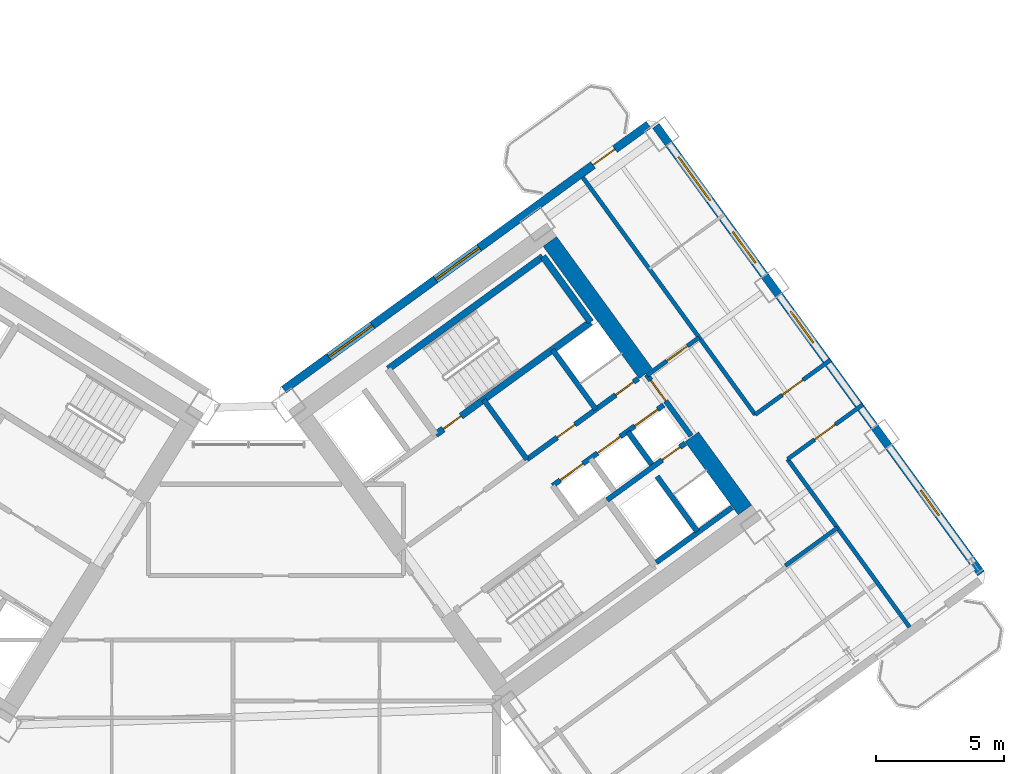
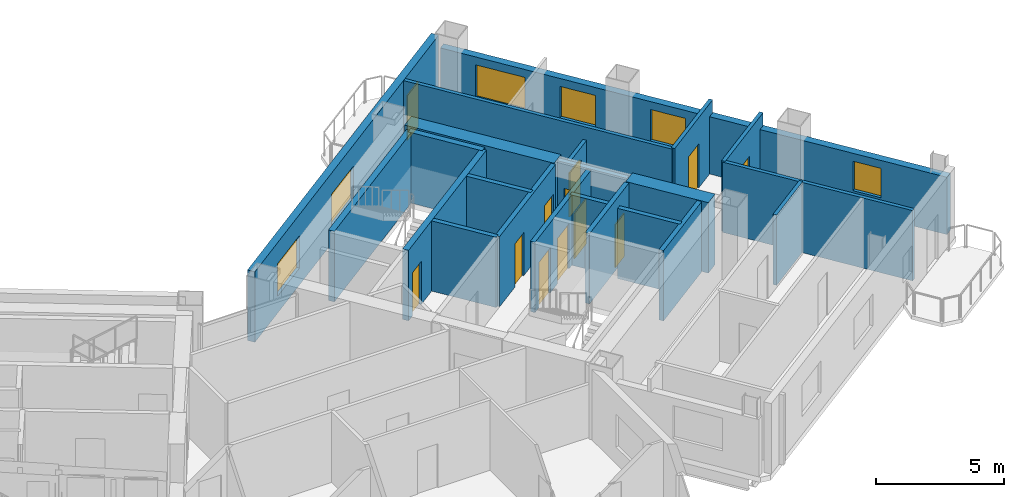
# One storey, part 19 of 24: 22 walls, 12 doors, 6 windows, 18 openings.
"""IFC4 building model written with IfcOpenShell, lengths in metres."""

from ifc_helpers import new_model, si_unit, direction, frame, frame_2d, origin, place, context, subcontext, project, spatial, rectangle, extrude, source, transform, mapped, material, layer, layer_set, type_object, element, fill, save


model = new_model("IFC4")

# Units and contexts
model_context = context("Model", 3, precision=1e-05, world=origin(), true_north=direction((0.0, 1.0)))
body_context = subcontext(model_context, "Body", "Model", "MODEL_VIEW")
ifc_project = project(units=[si_unit("LENGTHUNIT", "METRE"), si_unit("AREAUNIT", "SQUARE_METRE"), si_unit("VOLUMEUNIT", "CUBIC_METRE"), si_unit("PLANEANGLEUNIT", "RADIAN"), si_unit("MASSUNIT", "GRAM", prefix="KILO")], contexts=[model_context])

# Site, building, storey
site_placement = place(None, origin())
site = spatial("IfcSite", under=ifc_project, at=site_placement, CompositionType="ELEMENT")
building_placement = place(site_placement, origin())
building = spatial("IfcBuilding", under=site, at=building_placement, Name="Tlacorven Tower", CompositionType="ELEMENT")
storey_placement = place(building_placement, frame((0.0, 0.0, 45.60009765625)))
storey = spatial("IfcBuildingStorey", under=building, at=storey_placement, Name="L11", CompositionType="ELEMENT", Elevation=45.60009765625)

# Walls
ifc_material_1 = material(Name="Concrete C60/75", Category="concrete")
ifc_layer_1 = layer(ifc_material_1, 0.64990234375)
ifc_layer_set_1 = layer_set([ifc_layer_1], Name="Concrete C60/75")
wall_type_1 = type_object("IfcWallType", Name="WL-COR-650", PredefinedType="SHEAR", material=ifc_layer_set_1)
wall_1_placement = place(storey_placement, frame((61.9287109375, 20.494384765625, 0.0), z_axis=(0.0, 0.0, 1.0), x_axis=(-0.58782982593, 0.808984607855, 0.0)))
element("IfcWall", 1, at=wall_1_placement, inside=storey, type_object=wall_type_1, Name="L11 E core end wall E2.1", PredefinedType="SHEAR", context=body_context, shape_type="SweptSolid", body=[
    extrude(rectangle(XDim=3.52490234375, YDim=0.64990234375, at=frame_2d((1.762451171875, 0.0))), origin(), (0.0, 0.0, 1.0), 3.349853515625),
])
wall_2_placement = place(storey_placement, frame((58.06396484375, 25.8134765625, 0.0), z_axis=(0.0, 0.0, 1.0), x_axis=(-0.58777996584, 0.809020835181, 0.0)))
element("IfcWall", 2, at=wall_2_placement, inside=storey, type_object=wall_type_1, Name="L11 E core end wall E2.2", PredefinedType="SHEAR", context=body_context, shape_type="SweptSolid", body=[
    extrude(rectangle(XDim=6.375, YDim=0.64990234375, at=frame_2d((3.1875, 0.0))), origin(), (0.0, 0.0, 1.0), 3.349853515625),
])
ifc_material_2 = material(Name="Gypsum plasterboard acoustic partition", Category="gypsum")
ifc_layer_2 = layer(ifc_material_2, 0.159912109375)
ifc_layer_set_2 = layer_set([ifc_layer_2], Name="Gypsum plasterboard acoustic partition")
wall_type_2 = type_object("IfcWallType", Name="WL-DEM-160", PredefinedType="PARTITIONING", material=ifc_layer_set_2)
wall_3_placement = place(storey_placement, frame((63.5068359375, 18.322021484375, 0.0), z_axis=(0.0, 0.0, 1.0), x_axis=(0.809034604122, 0.587761013791, 0.0)))
element("IfcWall", 3, at=wall_3_placement, inside=storey, type_object=wall_type_2, Name="L11 partition 96", PredefinedType="PARTITIONING", context=body_context, shape_type="SweptSolid", body=[
    extrude(rectangle(XDim=2.510009765625, YDim=0.159912109375, at=frame_2d((1.2548828125, 0.0))), origin(), (0.0, 0.0, 1.0), 3.33984375),
])

# Wall, opening, door
wall_4_placement = place(storey_placement, frame((58.111083984375, 25.748779296875, 0.0), z_axis=(0.0, 0.0, 1.0), x_axis=(0.809000999347, 0.58780726693, 0.0)))
wall_4 = element("IfcWall", 4, at=wall_4_placement, inside=storey, type_object=wall_type_2, Name="L11 partition 97", PredefinedType="PARTITIONING", context=body_context, shape_type="SweptSolid", body=[
    extrude(rectangle(XDim=2.510009765625, YDim=0.159912109375, at=frame_2d((1.2548828125, 0.0))), origin(), (0.0, 0.0, 1.0), 2.724853515625),
])
opening_1_placement = place(wall_4_placement, frame((0.949951171875, 0.0, 0.0)))
opening_1 = element("IfcOpeningElement", 5, at=opening_1_placement, cuts=wall_4, Name="Opening D11", PredefinedType="OPENING", context=body_context, shape_type="SweptSolid", body=[
    extrude(rectangle(XDim=1.0, YDim=2.10009765625, at=frame_2d((0.5, 1.050048828125))), frame((0.0, 0.08984375, 0.0), z_axis=(0.0, -1.0, 0.0), x_axis=(1.0, 0.0, 0.0)), (0.0, 0.0, 1.0), 0.179931640625),
])
ifc_material_3 = material(Name="Fire-rated steel door assembly", Category="steel")
door_type_1 = type_object("IfcDoorType", Name="DR-FLT-FD60-1000", OperationType="NOTDEFINED", PredefinedType="DOOR", material=ifc_material_3)
shared_shape_1 = source(origin(), body_context, "Body", "SweptSolid", [
    extrude(rectangle(XDim=1.0, YDim=2.10009765625, at=frame_2d((0.5, 1.050048828125))), frame((0.0, 0.02490234375, 0.0), z_axis=(0.0, -1.0, 0.0), x_axis=(1.0, 0.0, 0.0)), (0.0, 0.0, 1.0), 0.050048828125),
])
door_1_placement = place(opening_1_placement, origin())
door_1 = element("IfcDoor", 6, at=door_1_placement, inside=storey, type_object=door_type_1, Name="L11 door 060", OperationType="SINGLE_SWING_LEFT", OverallHeight=2.10009765625, OverallWidth=1.0, PredefinedType="DOOR", context=body_context, shape_type="MappedRepresentation", body=[
    mapped(shared_shape_1, transform((0.0, 0.0, 0.0), scale=1.0)),
])
fill(opening_1, door_1)

# Walls
wall_5_placement = place(storey_placement, frame((68.35302734375, 15.922119140625, 0.0), z_axis=(0.0, 0.0, 1.0), x_axis=(-0.58776839458, 0.809029241952, 0.0)))
element("IfcWall", 7, at=wall_5_placement, inside=storey, type_object=wall_type_2, Name="L11 partition 98", PredefinedType="PARTITIONING", context=body_context, shape_type="SweptSolid", body=[
    extrude(rectangle(XDim=8.10009765625, YDim=0.159912109375, at=frame_2d((4.050048828125, 0.0))), origin(), (0.0, 0.0, 1.0), 3.33984375),
])
wall_6_placement = place(storey_placement, frame((62.328125, 24.214599609375, 0.0), z_axis=(0.0, 0.0, 1.0), x_axis=(-0.587778600963, 0.809021826807, 0.0)))
element("IfcWall", 8, at=wall_6_placement, inside=storey, type_object=wall_type_2, Name="L11 partition 99", PredefinedType="PARTITIONING", context=body_context, shape_type="SweptSolid", body=[
    extrude(rectangle(XDim=11.449951171875, YDim=0.159912109375, at=frame_2d((5.72509765625, 0.0))), origin(), (0.0, 0.0, 1.0), 3.33984375),
])

# Wall, opening, door
wall_7_placement = place(storey_placement, frame((63.592041015625, 22.475341796875, 0.0), z_axis=(0.0, 0.0, 1.0), x_axis=(0.809035546126, 0.58775971715, 0.0)))
wall_7 = element("IfcWall", 9, at=wall_7_placement, inside=storey, type_object=wall_type_2, Name="L11 partition 101", PredefinedType="PARTITIONING", context=body_context, shape_type="SweptSolid", body=[
    extrude(rectangle(XDim=3.6298828125, YDim=0.159912109375, at=frame_2d((1.81494140625, 0.0))), origin(), (0.0, 0.0, 1.0), 3.33984375),
])
opening_2_placement = place(wall_7_placement, frame((1.304931640625, 0.0, 0.0)))
opening_2 = element("IfcOpeningElement", 10, at=opening_2_placement, cuts=wall_7, Name="Opening D11", PredefinedType="OPENING", context=body_context, shape_type="SweptSolid", body=[
    extrude(rectangle(XDim=1.0, YDim=2.10009765625, at=frame_2d((0.5, 1.050048828125))), frame((0.0, 0.08984375, 0.0), z_axis=(0.0, -1.0, 0.0), x_axis=(1.0, 0.0, 0.0)), (0.0, 0.0, 1.0), 0.179931640625),
])
door_2_placement = place(opening_2_placement, origin())
door_2 = element("IfcDoor", 11, at=door_2_placement, inside=storey, type_object=door_type_1, Name="L11 door 064", OperationType="SINGLE_SWING_LEFT", OverallHeight=2.10009765625, OverallWidth=1.0, PredefinedType="DOOR", context=body_context, shape_type="MappedRepresentation", body=[
    mapped(shared_shape_1, transform((0.0, 0.0, 0.0), scale=1.0)),
])
fill(opening_2, door_2)

wall_8_placement = place(storey_placement, frame((62.328125, 24.214599609375, 0.0), z_axis=(0.0, 0.0, 1.0), x_axis=(0.809003564202, 0.587803736896, 0.0)))
wall_8 = element("IfcWall", 12, at=wall_8_placement, inside=storey, type_object=wall_type_2, Name="L11 partition 102", PredefinedType="PARTITIONING", context=body_context, shape_type="SweptSolid", body=[
    extrude(rectangle(XDim=3.630126953125, YDim=0.159912109375, at=frame_2d((1.81494140625, 0.0))), origin(), (0.0, 0.0, 1.0), 3.33984375),
])
opening_3_placement = place(wall_8_placement, frame((1.304931640625, 0.0, 0.0)))
opening_3 = element("IfcOpeningElement", 13, at=opening_3_placement, cuts=wall_8, Name="Opening D11", PredefinedType="OPENING", context=body_context, shape_type="SweptSolid", body=[
    extrude(rectangle(XDim=1.0, YDim=2.10009765625, at=frame_2d((0.5, 1.050048828125))), frame((0.0, 0.08984375, 0.0), z_axis=(0.0, -1.0, 0.0), x_axis=(1.0, 0.0, 0.0)), (0.0, 0.0, 1.0), 0.179931640625),
])
door_3_placement = place(opening_3_placement, origin())
door_3 = element("IfcDoor", 14, at=door_3_placement, inside=storey, type_object=door_type_1, Name="L11 door 062", OperationType="SINGLE_SWING_LEFT", OverallHeight=2.10009765625, OverallWidth=1.0, PredefinedType="DOOR", context=body_context, shape_type="MappedRepresentation", body=[
    mapped(shared_shape_1, transform((0.0, 0.0, 0.0), scale=1.0)),
])
fill(opening_3, door_3)

# Wall, openings, door, windows
ifc_material_4 = material(Name="Precast concrete C45/55", Category="concrete")
ifc_layer_3 = layer(ifc_material_4, 0.320068359375)
ifc_layer_set_3 = layer_set([ifc_layer_3], Name="Precast concrete C45/55")
wall_type_3 = type_object("IfcWallType", Name="WL-EXT-320", PredefinedType="STANDARD", material=ifc_layer_set_3)
wall_9_placement = place(storey_placement, frame((43.93798828125, 25.191650390625, 0.0), z_axis=(0.0, 0.0, 1.0), x_axis=(0.809016324578, 0.587786174187, 0.0)))
wall_9 = element("IfcWall", 15, at=wall_9_placement, inside=storey, type_object=wall_type_3, Name="L11 Masonry-Frame Recessed Facade Wall 4", PredefinedType="STANDARD", context=body_context, shape_type="SweptSolid", body=[
    extrude(rectangle(XDim=17.58740234375, YDim=0.320068359375, at=frame_2d((8.793701171875, 0.0))), origin(), (0.0, 0.0, 1.0), 3.349853515625),
])
opening_4_placement = place(wall_9_placement, frame((14.913818359375, 0.0, 0.0)))
opening_4 = element("IfcOpeningElement", 16, at=opening_4_placement, cuts=wall_9, Name="Opening D06", PredefinedType="OPENING", context=body_context, shape_type="SweptSolid", body=[
    extrude(rectangle(XDim=1.050048828125, YDim=2.14990234375, at=frame_2d((0.52490234375, 1.074951171875))), frame((0.0, 0.169921875, 0.0), z_axis=(0.0, -1.0, 0.0), x_axis=(1.0, 0.0, 0.0)), (0.0, 0.0, 1.0), 0.340087890625),
])
opening_5_placement = place(wall_9_placement, frame((2.168701171875, 0.0, 0.800048828125)))
opening_5 = element("IfcOpeningElement", 17, at=opening_5_placement, cuts=wall_9, Name="Opening WN04", PredefinedType="OPENING", context=body_context, shape_type="SweptSolid", body=[
    extrude(rectangle(XDim=2.10009765625, YDim=1.550048828125, at=frame_2d((1.050048828125, 0.77490234375))), frame((0.0, 0.169921875, 0.0), z_axis=(0.0, -1.0, 0.0), x_axis=(1.0, 0.0, 0.0)), (0.0, 0.0, 1.0), 0.340087890625),
])
opening_6_placement = place(wall_9_placement, frame((7.318603515625, 0.0, 0.800048828125)))
opening_6 = element("IfcOpeningElement", 18, at=opening_6_placement, cuts=wall_9, Name="Opening WN04", PredefinedType="OPENING", context=body_context, shape_type="SweptSolid", body=[
    extrude(rectangle(XDim=2.10009765625, YDim=1.550048828125, at=frame_2d((1.050048828125, 0.77490234375))), frame((0.0, 0.169921875, 0.0), z_axis=(0.0, -1.0, 0.0), x_axis=(1.0, 0.0, 0.0)), (0.0, 0.0, 1.0), 0.340087890625),
])
ifc_material_5 = material(Name="Powder-coated aluminium and timber door", Category="wood")
door_type_2 = type_object("IfcDoorType", Name="DR-EXT-BALC-1050", OperationType="NOTDEFINED", PredefinedType="DOOR", material=ifc_material_5)
shared_shape_2 = source(origin(), body_context, "Body", "SweptSolid", [
    extrude(rectangle(XDim=1.050048828125, YDim=2.14990234375, at=frame_2d((0.52490234375, 1.074951171875))), frame((0.0, 0.02490234375, 0.0), z_axis=(0.0, -1.0, 0.0), x_axis=(1.0, 0.0, 0.0)), (0.0, 0.0, 1.0), 0.050048828125),
])
door_4_placement = place(opening_4_placement, origin())
door_4 = element("IfcDoor", 19, at=door_4_placement, inside=storey, type_object=door_type_2, Name="L11 Outdoor Access Door BAL-L11-E-IN", OperationType="SINGLE_SWING_RIGHT", OverallHeight=2.14990234375, OverallWidth=1.050048828125, PredefinedType="DOOR", context=body_context, shape_type="MappedRepresentation", body=[
    mapped(shared_shape_2, transform((0.0, 0.0, 0.0), scale=1.0)),
])
fill(opening_4, door_4)
ifc_material_6 = material(Name="Dark solar low-E double glazing in anodised aluminium frame", Category="aluminium")
window_type_1 = type_object("IfcWindowType", Name="WN-APT-2100X1750", PartitioningType="SINGLE_PANEL", PredefinedType="WINDOW", material=ifc_material_6)
shared_shape_3 = source(origin(), body_context, "Body", "SweptSolid", [
    extrude(rectangle(XDim=2.10009765625, YDim=1.550048828125, at=frame_2d((1.050048828125, 0.77490234375))), frame((0.0, 0.030029296875, 0.0), z_axis=(0.0, -1.0, 0.0), x_axis=(1.0, 0.0, 0.0)), (0.0, 0.0, 1.0), 0.06005859375),
])
window_1_placement = place(opening_5_placement, origin())
window_1 = element("IfcWindow", 20, at=window_1_placement, inside=storey, type_object=window_type_1, Name="L11 Recessed Masonry-Frame Window L11-04.1", OverallHeight=1.550048828125, OverallWidth=2.10009765625, PartitioningType="SINGLE_PANEL", PredefinedType="WINDOW", context=body_context, shape_type="MappedRepresentation", body=[
    mapped(shared_shape_3, transform((0.0, 0.0, 0.0), scale=1.0)),
])
fill(opening_5, window_1)
window_2_placement = place(opening_6_placement, origin())
window_2 = element("IfcWindow", 21, at=window_2_placement, inside=storey, type_object=window_type_1, Name="L11 Recessed Masonry-Frame Window L11-04.2", OverallHeight=1.550048828125, OverallWidth=2.10009765625, PartitioningType="SINGLE_PANEL", PredefinedType="WINDOW", context=body_context, shape_type="MappedRepresentation", body=[
    mapped(shared_shape_3, transform((0.0, 0.0, 0.0), scale=1.0)),
])
fill(opening_6, window_2)

# Wall, openings, windows
wall_10_placement = place(storey_placement, frame((58.45458984375, 35.483642578125, 0.0), z_axis=(0.0, 0.0, 1.0), x_axis=(0.587783625747, -0.809018176127, 0.0)))
wall_10 = element("IfcWall", 22, at=wall_10_placement, inside=storey, type_object=wall_type_3, Name="L11 Masonry-Frame Recessed Facade Wall 5", PredefinedType="STANDARD", context=body_context, shape_type="SweptSolid", body=[
    extrude(rectangle(XDim=21.58740234375, YDim=0.320068359375, at=frame_2d((10.793701171875, 0.0))), origin(), (0.0, 0.0, 1.0), 2.724853515625),
])
opening_7_placement = place(wall_10_placement, frame((1.500244140625, 0.0, 0.800048828125)))
opening_7 = element("IfcOpeningElement", 23, at=opening_7_placement, cuts=wall_10, Name="Opening WN04", PredefinedType="OPENING", context=body_context, shape_type="SweptSolid", body=[
    extrude(rectangle(XDim=2.10009765625, YDim=1.550048828125, at=frame_2d((1.050048828125, 0.77490234375))), frame((0.0, 0.169921875, 0.0), z_axis=(0.0, -1.0, 0.0), x_axis=(1.0, 0.0, 0.0)), (0.0, 0.0, 1.0), 0.340087890625),
])
opening_8_placement = place(wall_10_placement, frame((5.105224609375, 0.0, 0.85009765625)))
opening_8 = element("IfcOpeningElement", 24, at=opening_8_placement, cuts=wall_10, Name="Opening WN02", PredefinedType="OPENING", context=body_context, shape_type="SweptSolid", body=[
    extrude(rectangle(XDim=1.5, YDim=1.5, at=frame_2d((0.75, 0.75))), frame((0.0, 0.169921875, 0.0), z_axis=(0.0, -1.0, 0.0), x_axis=(1.0, 0.0, 0.0)), (0.0, 0.0, 1.0), 0.340087890625),
])
opening_9_placement = place(wall_10_placement, frame((8.95361328125, 0.0, 0.85009765625)))
opening_9 = element("IfcOpeningElement", 25, at=opening_9_placement, cuts=wall_10, Name="Opening WN02", PredefinedType="OPENING", context=body_context, shape_type="SweptSolid", body=[
    extrude(rectangle(XDim=1.5, YDim=1.5, at=frame_2d((0.75, 0.75))), frame((0.0, 0.169921875, 0.0), z_axis=(0.0, -1.0, 0.0), x_axis=(1.0, 0.0, 0.0)), (0.0, 0.0, 1.0), 0.340087890625),
])
opening_10_placement = place(wall_10_placement, frame((17.581298828125, 0.0, 0.949951171875)))
opening_10 = element("IfcOpeningElement", 26, at=opening_10_placement, cuts=wall_10, Name="Opening WN03", PredefinedType="OPENING", context=body_context, shape_type="SweptSolid", body=[
    extrude(rectangle(XDim=1.199951171875, YDim=1.39990234375, at=frame_2d((0.60009765625, 0.699951171875))), frame((0.0, 0.169921875, 0.0), z_axis=(0.0, -1.0, 0.0), x_axis=(1.0, 0.0, 0.0)), (0.0, 0.0, 1.0), 0.340087890625),
])
window_3_placement = place(opening_7_placement, origin())
window_3 = element("IfcWindow", 27, at=window_3_placement, inside=storey, type_object=window_type_1, Name="L11 Recessed Masonry-Frame Window L11-05.1", OverallHeight=1.550048828125, OverallWidth=2.10009765625, PartitioningType="SINGLE_PANEL", PredefinedType="WINDOW", context=body_context, shape_type="MappedRepresentation", body=[
    mapped(shared_shape_3, transform((0.0, 0.0, 0.0), scale=1.0)),
])
fill(opening_7, window_3)
window_type_2 = type_object("IfcWindowType", Name="WN-APT-1200X1500", PartitioningType="SINGLE_PANEL", PredefinedType="WINDOW", material=ifc_material_6)
shared_shape_4 = source(origin(), body_context, "Body", "SweptSolid", [
    extrude(rectangle(XDim=1.199951171875, YDim=1.39990234375, at=frame_2d((0.60009765625, 0.699951171875))), frame((0.0, 0.030029296875, 0.0), z_axis=(0.0, -1.0, 0.0), x_axis=(1.0, 0.0, 0.0)), (0.0, 0.0, 1.0), 0.06005859375),
])
window_4_placement = place(opening_10_placement, origin())
window_4 = element("IfcWindow", 28, at=window_4_placement, inside=storey, type_object=window_type_2, Name="L11 Recessed Masonry-Frame Window L11-05.4", OverallHeight=1.39990234375, OverallWidth=1.199951171875, PartitioningType="SINGLE_PANEL", PredefinedType="WINDOW", context=body_context, shape_type="MappedRepresentation", body=[
    mapped(shared_shape_4, transform((0.0, 0.0, 0.0), scale=1.0)),
])
fill(opening_10, window_4)
window_type_3 = type_object("IfcWindowType", Name="WN-APT-1500X1650", PartitioningType="SINGLE_PANEL", PredefinedType="WINDOW", material=ifc_material_6)
shared_shape_5 = source(origin(), body_context, "Body", "SweptSolid", [
    extrude(rectangle(XDim=1.5, YDim=1.5, at=frame_2d((0.75, 0.75))), frame((0.0, 0.030029296875, 0.0), z_axis=(0.0, -1.0, 0.0), x_axis=(1.0, 0.0, 0.0)), (0.0, 0.0, 1.0), 0.06005859375),
])
window_5_placement = place(opening_8_placement, origin())
window_5 = element("IfcWindow", 29, at=window_5_placement, inside=storey, type_object=window_type_3, Name="L11 Recessed Masonry-Frame Window L11-05.2", OverallHeight=1.5, OverallWidth=1.5, PartitioningType="SINGLE_PANEL", PredefinedType="WINDOW", context=body_context, shape_type="MappedRepresentation", body=[
    mapped(shared_shape_5, transform((0.0, 0.0, 0.0), scale=1.0)),
])
fill(opening_8, window_5)
window_6_placement = place(opening_9_placement, origin())
window_6 = element("IfcWindow", 30, at=window_6_placement, inside=storey, type_object=window_type_3, Name="L11 Recessed Masonry-Frame Window L11-05.3", OverallHeight=1.5, OverallWidth=1.5, PartitioningType="SINGLE_PANEL", PredefinedType="WINDOW", context=body_context, shape_type="MappedRepresentation", body=[
    mapped(shared_shape_5, transform((0.0, 0.0, 0.0), scale=1.0)),
])
fill(opening_9, window_6)

# Wall, opening, door
ifc_material_7 = material(Name="Concrete C40/50", Category="concrete")
ifc_layer_4 = layer(ifc_material_7, 0.199951171875)
ifc_layer_set_4 = layer_set([ifc_layer_4], Name="Concrete C40/50")
wall_type_4 = type_object("IfcWallType", Name="WL-SHF-200", PredefinedType="STANDARD", material=ifc_layer_set_4)
wall_11_placement = place(storey_placement, frame((56.552978515625, 20.884033203125, 0.0), z_axis=(0.0, 0.0, 1.0), x_axis=(0.809035789462, 0.587759382205, 0.0)))
wall_11 = element("IfcWall", 31, at=wall_11_placement, inside=storey, type_object=wall_type_4, Name="L11 Core E South Lift Shaft Wall", PredefinedType="STANDARD", context=body_context, shape_type="SweptSolid", body=[
    extrude(rectangle(XDim=3.767822265625, YDim=0.199951171875, at=frame_2d((1.8837890625, 0.0))), origin(), (0.0, 0.0, 1.0), 3.33984375),
])
opening_11_placement = place(wall_11_placement, frame((2.64990234375, 0.0, 0.0)))
opening_11 = element("IfcOpeningElement", 32, at=opening_11_placement, cuts=wall_11, Name="Opening D19", PredefinedType="OPENING", context=body_context, shape_type="SweptSolid", body=[
    extrude(rectangle(XDim=0.860107421875, YDim=2.050048828125, at=frame_2d((0.43017578125, 1.02490234375))), frame((0.0, 0.10986328125, 0.0), z_axis=(0.0, -1.0, 0.0), x_axis=(1.0, 0.0, 0.0)), (0.0, 0.0, 1.0), 0.219970703125),
])
door_type_3 = type_object("IfcDoorType", Name="DR-RSR-FD60-0860", OperationType="NOTDEFINED", PredefinedType="DOOR", material=ifc_material_3)
shared_shape_6 = source(origin(), body_context, "Body", "SweptSolid", [
    extrude(rectangle(XDim=0.860107421875, YDim=2.050048828125, at=frame_2d((0.43017578125, 1.02490234375))), frame((0.0, 0.02490234375, 0.0), z_axis=(0.0, -1.0, 0.0), x_axis=(1.0, 0.0, 0.0)), (0.0, 0.0, 1.0), 0.050048828125),
])
door_5_placement = place(opening_11_placement, origin())
door_5 = element("IfcDoor", 33, at=door_5_placement, inside=storey, type_object=door_type_3, Name="L11 Smoke Extract Riser Access Door", OperationType="SINGLE_SWING_RIGHT", OverallHeight=2.050048828125, OverallWidth=0.860107421875, PredefinedType="DOOR", context=body_context, shape_type="MappedRepresentation", body=[
    mapped(shared_shape_6, transform((0.0, 0.0, 0.0), scale=1.0)),
])
fill(opening_11, door_5)

# Wall, openings, doors
wall_12_placement = place(storey_placement, frame((54.421142578125, 21.436279296875, 0.0), z_axis=(0.0, 0.0, 1.0), x_axis=(0.809013710463, 0.587789772183, 0.0)))
wall_12 = element("IfcWall", 34, at=wall_12_placement, inside=storey, type_object=wall_type_4, Name="L11 partition 36", PredefinedType="STANDARD", context=body_context, shape_type="SweptSolid", body=[
    extrude(rectangle(XDim=5.360107421875, YDim=0.199951171875, at=frame_2d((2.68017578125, 0.0))), origin(), (0.0, 0.0, 1.0), 3.33984375),
])
opening_12_placement = place(wall_12_placement, frame((0.3701171875, 0.0, 0.0)))
opening_12 = element("IfcOpeningElement", 35, at=opening_12_placement, cuts=wall_12, Name="Opening LD01", PredefinedType="OPENING", context=body_context, shape_type="SweptSolid", body=[
    extrude(rectangle(XDim=1.10009765625, YDim=2.14990234375, at=frame_2d((0.550048828125, 1.074951171875))), frame((0.0, 0.10986328125, 0.0), z_axis=(0.0, -1.0, 0.0), x_axis=(1.0, 0.0, 0.0)), (0.0, 0.0, 1.0), 0.219970703125),
])
opening_13_placement = place(wall_12_placement, frame((2.169921875, 0.0, 0.0)))
opening_13 = element("IfcOpeningElement", 36, at=opening_13_placement, cuts=wall_12, Name="Opening LD01", PredefinedType="OPENING", context=body_context, shape_type="SweptSolid", body=[
    extrude(rectangle(XDim=1.10009765625, YDim=2.14990234375, at=frame_2d((0.550048828125, 1.074951171875))), frame((0.0, 0.10986328125, 0.0), z_axis=(0.0, -1.0, 0.0), x_axis=(1.0, 0.0, 0.0)), (0.0, 0.0, 1.0), 0.219970703125),
])
opening_14_placement = place(wall_12_placement, frame((3.969970703125, 0.0, 0.0)))
opening_14 = element("IfcOpeningElement", 37, at=opening_14_placement, cuts=wall_12, Name="Opening LD01", PredefinedType="OPENING", context=body_context, shape_type="SweptSolid", body=[
    extrude(rectangle(XDim=1.10009765625, YDim=2.14990234375, at=frame_2d((0.550048828125, 1.074951171875))), frame((0.0, 0.10986328125, 0.0), z_axis=(0.0, -1.0, 0.0), x_axis=(1.0, 0.0, 0.0)), (0.0, 0.0, 1.0), 0.219970703125),
])
door_type_4 = type_object("IfcDoorType", Name="DR-LFT-SLID-1100", OperationType="DOUBLE_DOOR_SLIDING", PredefinedType="DOOR", material=ifc_material_3)
shared_shape_7 = source(origin(), body_context, "Body", "SweptSolid", [
    extrude(rectangle(XDim=1.10009765625, YDim=2.14990234375, at=frame_2d((0.550048828125, 1.074951171875))), frame((0.0, 0.02490234375, 0.0), z_axis=(0.0, -1.0, 0.0), x_axis=(1.0, 0.0, 0.0)), (0.0, 0.0, 1.0), 0.050048828125),
])
door_6_placement = place(opening_12_placement, origin())
door_6 = element("IfcDoor", 38, at=door_6_placement, inside=storey, type_object=door_type_4, Name="L11 Lift PL-L1 Sliding Landing Door", OperationType="DOUBLE_DOOR_SLIDING", OverallHeight=2.14990234375, OverallWidth=1.10009765625, PredefinedType="DOOR", context=body_context, shape_type="MappedRepresentation", body=[
    mapped(shared_shape_7, transform((0.0, 0.0, 0.0), scale=1.0)),
])
fill(opening_12, door_6)
door_7_placement = place(opening_13_placement, origin())
door_7 = element("IfcDoor", 39, at=door_7_placement, inside=storey, type_object=door_type_4, Name="L11 Lift PL-L2 Sliding Landing Door", OperationType="DOUBLE_DOOR_SLIDING", OverallHeight=2.14990234375, OverallWidth=1.10009765625, PredefinedType="DOOR", context=body_context, shape_type="MappedRepresentation", body=[
    mapped(shared_shape_7, transform((0.0, 0.0, 0.0), scale=1.0)),
])
fill(opening_13, door_7)
door_8_placement = place(opening_14_placement, origin())
door_8 = element("IfcDoor", 40, at=door_8_placement, inside=storey, type_object=door_type_4, Name="L11 Lift PL-L3 Sliding Landing Door", OperationType="DOUBLE_DOOR_SLIDING", OverallHeight=2.14990234375, OverallWidth=1.10009765625, PredefinedType="DOOR", context=body_context, shape_type="MappedRepresentation", body=[
    mapped(shared_shape_7, transform((0.0, 0.0, 0.0), scale=1.0)),
])
fill(opening_14, door_8)

# Walls
wall_13_placement = place(storey_placement, frame((58.290283203125, 22.269775390625, 0.0), z_axis=(0.0, 0.0, 1.0), x_axis=(-0.587840865826, 0.808976585857, 0.0)))
element("IfcWall", 41, at=wall_13_placement, inside=storey, type_object=wall_type_4, Name="L11 partition 40", PredefinedType="STANDARD", context=body_context, shape_type="SweptSolid", body=[
    extrude(rectangle(XDim=1.579833984375, YDim=0.199951171875, at=frame_2d((0.7900390625, 0.0))), origin(), (0.0, 0.0, 1.0), 3.33984375),
])
wall_14_placement = place(storey_placement, frame((60.066650390625, 19.654541015625, 0.0), z_axis=(0.0, 0.0, 1.0), x_axis=(-0.587800520745, 0.809005900975, 0.0)))
element("IfcWall", 42, at=wall_14_placement, inside=storey, type_object=wall_type_4, Name="L11 partition 41", PredefinedType="STANDARD", context=body_context, shape_type="SweptSolid", body=[
    extrude(rectangle(XDim=2.659912109375, YDim=0.199951171875, at=frame_2d((1.330078125, 0.0))), origin(), (0.0, 0.0, 1.0), 3.33984375),
])
wall_15_placement = place(storey_placement, frame((58.47216796875, 18.446533203125, 0.0), z_axis=(0.0, 0.0, 1.0), x_axis=(0.809022487728, 0.587777691266, 0.0)))
element("IfcWall", 43, at=wall_15_placement, inside=storey, type_object=wall_type_4, Name="L11 partition 43", PredefinedType="STANDARD", context=body_context, shape_type="SweptSolid", body=[
    extrude(rectangle(XDim=3.648193359375, YDim=0.199951171875, at=frame_2d((1.82421875, 0.0))), origin(), (0.0, 0.0, 1.0), 3.33984375),
])
wall_16_placement = place(storey_placement, frame((53.424560546875, 22.467529296875, 0.0), z_axis=(0.0, 0.0, 1.0), x_axis=(-0.5877230039, 0.809062216821, 0.0)))
element("IfcWall", 44, at=wall_16_placement, inside=storey, type_object=wall_type_4, Name="L11 partition 45", PredefinedType="STANDARD", context=body_context, shape_type="SweptSolid", body=[
    extrude(rectangle(XDim=2.8798828125, YDim=0.199951171875, at=frame_2d((1.43994140625, 0.0))), origin(), (0.0, 0.0, 1.0), 3.33984375),
])
wall_17_placement = place(storey_placement, frame((56.110595703125, 24.4189453125, 0.0), z_axis=(0.0, 0.0, 1.0), x_axis=(-0.58777848983, 0.809021907548, 0.0)))
element("IfcWall", 45, at=wall_17_placement, inside=storey, type_object=wall_type_4, Name="L11 partition 46", PredefinedType="STANDARD", context=body_context, shape_type="SweptSolid", body=[
    extrude(rectangle(XDim=2.880126953125, YDim=0.199951171875, at=frame_2d((1.43994140625, 0.0))), origin(), (0.0, 0.0, 1.0), 3.33984375),
])

# Wall, openings, doors
wall_18_placement = place(storey_placement, frame((53.424560546875, 22.467529296875, 0.0), z_axis=(0.0, 0.0, 1.0), x_axis=(0.80902705128, 0.587771409902, 0.0)))
wall_18 = element("IfcWall", 46, at=wall_18_placement, inside=storey, type_object=wall_type_4, Name="L11 Core E North Service Wall", PredefinedType="STANDARD", context=body_context, shape_type="SweptSolid", body=[
    extrude(rectangle(XDim=5.3681640625, YDim=0.199951171875, at=frame_2d((2.68408203125, 0.0))), origin(), (0.0, 0.0, 1.0), 3.33984375),
])
opening_15_placement = place(wall_18_placement, frame((4.280029296875, 0.0, 0.0)))
opening_15 = element("IfcOpeningElement", 47, at=opening_15_placement, cuts=wall_18, Name="Opening D19", PredefinedType="OPENING", context=body_context, shape_type="SweptSolid", body=[
    extrude(rectangle(XDim=0.860107421875, YDim=2.050048828125, at=frame_2d((0.43017578125, 1.02490234375))), frame((0.0, 0.10986328125, 0.0), z_axis=(0.0, -1.0, 0.0), x_axis=(1.0, 0.0, 0.0)), (0.0, 0.0, 1.0), 0.219970703125),
])
opening_16_placement = place(wall_18_placement, frame((1.449951171875, 0.0, 0.0)))
opening_16 = element("IfcOpeningElement", 48, at=opening_16_placement, cuts=wall_18, Name="Opening D19", PredefinedType="OPENING", context=body_context, shape_type="SweptSolid", body=[
    extrude(rectangle(XDim=0.860107421875, YDim=2.050048828125, at=frame_2d((0.43017578125, 1.02490234375))), frame((0.0, 0.10986328125, 0.0), z_axis=(0.0, -1.0, 0.0), x_axis=(1.0, 0.0, 0.0)), (0.0, 0.0, 1.0), 0.219970703125),
])
door_9_placement = place(opening_15_placement, frame((0.860107421875, 0.0, 0.0), z_axis=(0.0, 0.0, 1.0), x_axis=(-1.0, 0.0, 0.0)))
door_9 = element("IfcDoor", 49, at=door_9_placement, inside=storey, type_object=door_type_3, Name="L11 Electrical Riser Access Door E", OperationType="SINGLE_SWING_LEFT", OverallHeight=2.050048828125, OverallWidth=0.860107421875, PredefinedType="DOOR", context=body_context, shape_type="MappedRepresentation", body=[
    mapped(shared_shape_6, transform((0.0, 0.0, 0.0), scale=1.0)),
])
fill(opening_15, door_9)
door_10_placement = place(opening_16_placement, frame((0.860107421875, 0.0, 0.0), z_axis=(0.0, 0.0, 1.0), x_axis=(-1.0, 0.0, 0.0)))
door_10 = element("IfcDoor", 50, at=door_10_placement, inside=storey, type_object=door_type_3, Name="L11 Housekeeping Linen Access Door E", OperationType="SINGLE_SWING_RIGHT", OverallHeight=2.050048828125, OverallWidth=0.860107421875, PredefinedType="DOOR", context=body_context, shape_type="MappedRepresentation", body=[
    mapped(shared_shape_6, transform((0.0, 0.0, 0.0), scale=1.0)),
])
fill(opening_16, door_10)

# Wall, opening, door
wall_19_placement = place(storey_placement, frame((59.827392578125, 23.386474609375, 0.0), z_axis=(0.0, 0.0, 1.0), x_axis=(-0.587803840107, 0.809003489211, 0.0)))
wall_19 = element("IfcWall", 51, at=wall_19_placement, inside=storey, type_object=wall_type_4, Name="L11 partition 95", PredefinedType="STANDARD", context=body_context, shape_type="SweptSolid", body=[
    extrude(rectangle(XDim=2.960205078125, YDim=0.199951171875, at=frame_2d((1.47998046875, 0.0))), origin(), (0.0, 0.0, 1.0), 3.33984375),
])
opening_17_placement = place(wall_19_placement, frame((1.679931640625, 0.0, 0.0)))
opening_17 = element("IfcOpeningElement", 52, at=opening_17_placement, cuts=wall_19, Name="Opening D11", PredefinedType="OPENING", context=body_context, shape_type="SweptSolid", body=[
    extrude(rectangle(XDim=1.0, YDim=2.10009765625, at=frame_2d((0.5, 1.050048828125))), frame((0.0, 0.10986328125, 0.0), z_axis=(0.0, -1.0, 0.0), x_axis=(1.0, 0.0, 0.0)), (0.0, 0.0, 1.0), 0.219970703125),
])
door_11_placement = place(opening_17_placement, origin())
door_11 = element("IfcDoor", 53, at=door_11_placement, inside=storey, type_object=door_type_1, Name="L11 door 061", OperationType="SINGLE_SWING_RIGHT", OverallHeight=2.10009765625, OverallWidth=1.0, PredefinedType="DOOR", context=body_context, shape_type="MappedRepresentation", body=[
    mapped(shared_shape_1, transform((0.0, 0.0, 0.0), scale=1.0)),
])
fill(opening_17, door_11)

# Wall
ifc_material_8 = material(Name="Concrete C50/60", Category="concrete")
ifc_layer_5 = layer(ifc_material_8, 0.260009765625)
ifc_layer_set_5 = layer_set([ifc_layer_5], Name="Concrete C50/60")
wall_type_5 = type_object("IfcWallType", Name="WL-STW-260", PredefinedType="SHEAR", material=ifc_layer_set_5)
wall_20_placement = place(storey_placement, frame((48.005615234375, 25.996337890625, 0.0), z_axis=(0.0, 0.0, 1.0), x_axis=(0.80901903764, 0.587782439969, 0.0)))
element("IfcWall", 54, at=wall_20_placement, inside=storey, type_object=wall_type_5, Name="L11 Stair E1 Far Shear Wall", PredefinedType="SHEAR", context=body_context, shape_type="SweptSolid", body=[
    extrude(rectangle(XDim=7.4599609375, YDim=0.260009765625, at=frame_2d((3.72998046875, 0.0))), origin(), (0.0, 0.0, 1.0), 3.349853515625),
])

# Wall, opening, door
wall_21_placement = place(storey_placement, frame((49.863037109375, 23.439697265625, 0.0), z_axis=(0.0, 0.0, 1.0), x_axis=(0.809003474932, 0.587803859759, 0.0)))
wall_21 = element("IfcWall", 55, at=wall_21_placement, inside=storey, type_object=wall_type_5, Name="L11 Stair E1 Lobby Shear Wall", PredefinedType="SHEAR", context=body_context, shape_type="SweptSolid", body=[
    extrude(rectangle(XDim=7.4599609375, YDim=0.260009765625, at=frame_2d((3.72998046875, 0.0))), origin(), (0.0, 0.0, 1.0), 3.349853515625),
])
opening_18_placement = place(wall_21_placement, frame((0.360107421875, 0.0, 0.0)))
opening_18 = element("IfcOpeningElement", 56, at=opening_18_placement, cuts=wall_21, Name="Opening D19", PredefinedType="OPENING", context=body_context, shape_type="SweptSolid", body=[
    extrude(rectangle(XDim=0.860107421875, YDim=2.050048828125, at=frame_2d((0.43017578125, 1.02490234375))), frame((0.0, 0.14013671875, 0.0), z_axis=(0.0, -1.0, 0.0), x_axis=(1.0, 0.0, 0.0)), (0.0, 0.0, 1.0), 0.280029296875),
])
door_12_placement = place(opening_18_placement, frame((0.860107421875, 0.0, 0.0), z_axis=(0.0, 0.0, 1.0), x_axis=(-1.0, 0.0, 0.0)))
door_12 = element("IfcDoor", 57, at=door_12_placement, inside=storey, type_object=door_type_3, Name="L11 Exit Stair E1 Fire Door", OperationType="SINGLE_SWING_LEFT", OverallHeight=2.050048828125, OverallWidth=0.860107421875, PredefinedType="DOOR", context=body_context, shape_type="MappedRepresentation", body=[
    mapped(shared_shape_6, transform((0.0, 0.0, 0.0), scale=1.0)),
])
fill(opening_18, door_12)

# Wall
wall_22_placement = place(storey_placement, frame((55.906494140625, 27.83056640625, 0.0), z_axis=(0.0, 0.0, 1.0), x_axis=(-0.587804123638, 0.809003283204, 0.0)))
element("IfcWall", 58, at=wall_22_placement, inside=storey, type_object=wall_type_5, Name="L11 Stair E1 East Shear Wall", PredefinedType="SHEAR", context=body_context, shape_type="SweptSolid", body=[
    extrude(rectangle(XDim=3.159912109375, YDim=0.260009765625, at=frame_2d((1.580078125, 0.0))), origin(), (0.0, 0.0, 1.0), 3.349853515625),
])

save(model, "model.ifc")
